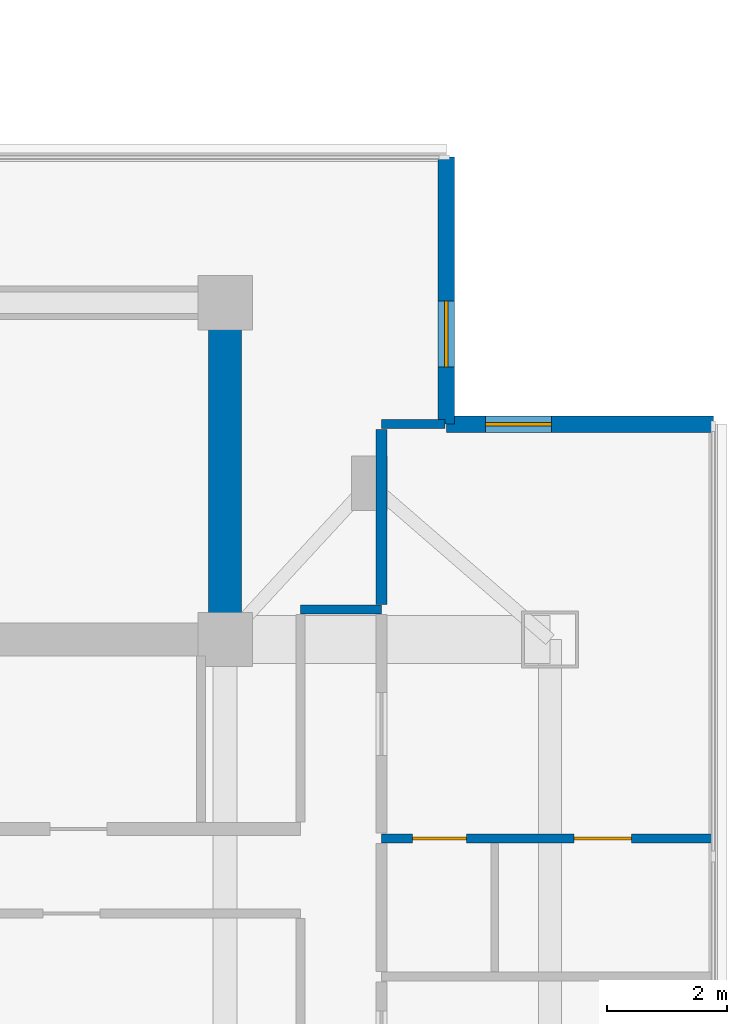
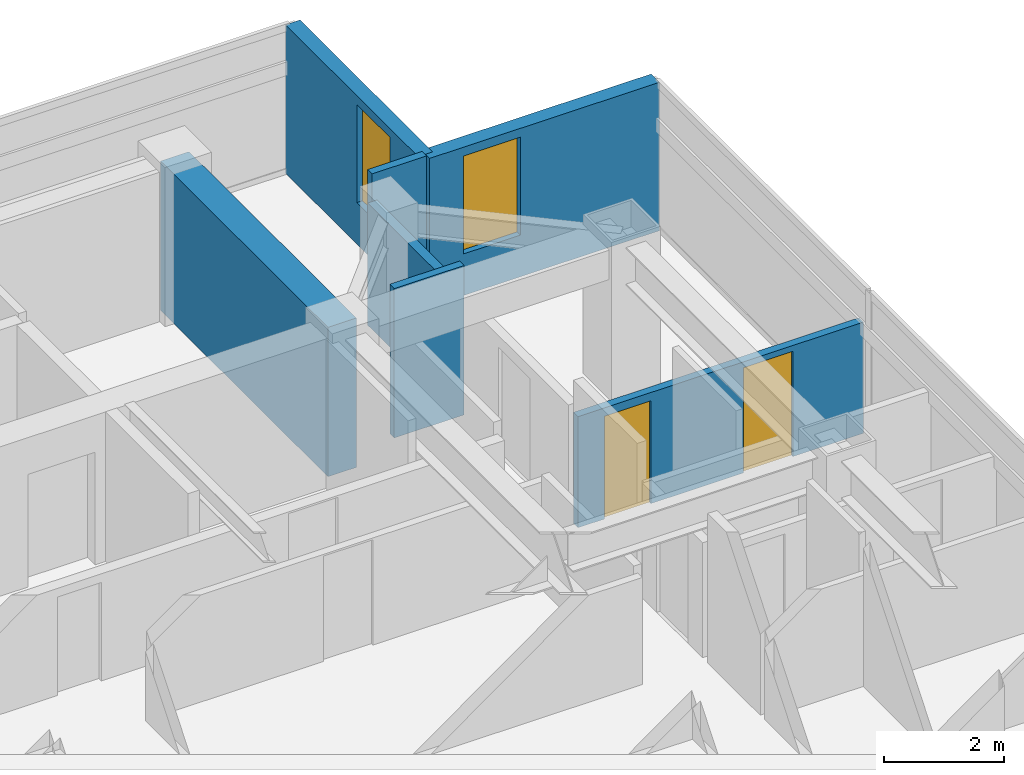
# One storey, part 18 of 24: 7 walls, 2 doors, 2 windows, 4 openings.
"""IFC4 building model written with IfcOpenShell, lengths in metres."""

import ifcopenshell
import ifcopenshell.guid

model = None  # the IFC model being written
_history = None  # IfcOwnerHistory: only IFC2X3 demands one
_inside = {}  # id of a spatial element -> (the spatial element, [elements in it])
_under = {}  # id of a project, library or spatial element -> (it, [spatial elements below it])
_declared = {}  # id of a project -> (the project, [libraries it declares])
_typed = {}  # id of a type object -> (the type object, [elements of that type])
_made_of = {}  # id of a material, layer set ... -> (it, [elements and type objects made of it])


def new_model(schema):
    """Start an empty IFC model of exactly this schema.

    Asked for "IFC4X3", IfcOpenShell would pick the latest addendum, in which some entities
    have other attributes; the version numbers below select the first issue.
    IFC2X3 requires an IfcOwnerHistory on every rooted entity: one is made here for all.
    """
    global model, _history
    if schema == "IFC4X3":
        model = ifcopenshell.file(schema_version=(4, 3, 0, 0))
    else:
        model = ifcopenshell.file(schema=schema)
    _inside.clear()
    _under.clear()
    _declared.clear()
    _typed.clear()
    _made_of.clear()
    _history = None
    if model.schema == "IFC2X3":
        org = make("IfcOrganization", Name="unknown")
        user = make(
            "IfcPersonAndOrganization",
            ThePerson=make("IfcPerson", FamilyName="unknown"),
            TheOrganization=org,
        )
        app = make(
            "IfcApplication",
            ApplicationDeveloper=org,
            Version="unknown",
            ApplicationFullName="unknown",
            ApplicationIdentifier="unknown",
        )
        _history = make(
            "IfcOwnerHistory",
            OwningUser=user,
            OwningApplication=app,
            ChangeAction="ADDED",
            CreationDate=0,
        )
    return model


def make(cls, **values):
    """One entity of the class cls with the attributes given. An attribute that is None is left unset."""
    return model.create_entity(
        cls, **{name: value for name, value in values.items() if value is not None}
    )


def rooted(cls, **values):
    """An entity with a GlobalId (a new one), such as an element, a storey or a relation."""
    return make(cls, GlobalId=ifcopenshell.guid.new(), OwnerHistory=_history, **values)


def si_unit(unit_type, name, prefix=None):
    """IfcSIUnit, for example si_unit("LENGTHUNIT", "METRE", prefix="MILLI")."""
    return make("IfcSIUnit", UnitType=unit_type, Prefix=prefix, Name=name)


def assignment(units):
    """IfcUnitAssignment: the units of a project."""
    return None if units is None else make("IfcUnitAssignment", Units=units)


def point(xyz):
    """IfcCartesianPoint."""
    return None if xyz is None else make("IfcCartesianPoint", Coordinates=xyz)


def direction(xyz):
    """IfcDirection."""
    return None if xyz is None else make("IfcDirection", DirectionRatios=xyz)


def frame(location, z_axis=None, x_axis=None):
    """IfcAxis2Placement3D, a coordinate frame: its origin and axes. An axis left out is left unset."""
    return make(
        "IfcAxis2Placement3D",
        Location=point(location),
        Axis=direction(z_axis),
        RefDirection=direction(x_axis),
    )


def frame_2d(location, x_axis=None):
    """IfcAxis2Placement2D, a coordinate frame in the plane: its origin and x axis."""
    return make(
        "IfcAxis2Placement2D", Location=point(location), RefDirection=direction(x_axis)
    )


def origin():
    """The frame at (0, 0, 0) with its axes left unset."""
    return frame((0.0, 0.0, 0.0))


def place(relative_to, where):
    """IfcLocalPlacement: puts the frame where relative to a parent placement (None: the world)."""
    return make(
        "IfcLocalPlacement", PlacementRelTo=relative_to, RelativePlacement=where
    )


def context(
    kind, dimensions, precision=None, world=None, true_north=None, identifier=None
):
    """IfcGeometricRepresentationContext, for example the 3D "Model" context."""
    return make(
        "IfcGeometricRepresentationContext",
        ContextIdentifier=identifier,
        ContextType=kind,
        CoordinateSpaceDimension=dimensions,
        Precision=precision,
        WorldCoordinateSystem=world,
        TrueNorth=true_north,
    )


def subcontext(parent, identifier, kind, view, scale=None):
    """IfcGeometricRepresentationSubContext, for example "Body" below "Model"."""
    return make(
        "IfcGeometricRepresentationSubContext",
        ContextIdentifier=identifier,
        ContextType=kind,
        ParentContext=parent,
        TargetScale=scale,
        TargetView=view,
    )


def project(units=None, contexts=None):
    """IfcProject with its units and contexts."""
    return rooted(
        "IfcProject",
        Name="project",
        RepresentationContexts=contexts,
        UnitsInContext=assignment(units),
    )


def spatial(cls, under=None, at=None, **own):
    """A site, building, storey or space (cls), placed at a placement, below another one or the project."""
    s = rooted(cls, ObjectPlacement=at, **own)
    if under is not None:
        _under.setdefault(under.id(), (under, []))[1].append(s)
    return s


def profile(cls, at=None, kind="AREA", **sizes):
    """A parametric profile (cls). Its sizes go by their IFC names, for example OverallWidth=200.0."""
    return make(cls, ProfileType=kind, Position=at, **sizes)


def rectangle(**sizes):
    """IfcRectangleProfileDef."""
    return profile("IfcRectangleProfileDef", **sizes)


def extrude(swept, where, along, depth):
    """IfcExtrudedAreaSolid: the profile swept, set in the frame where, extruded along a direction by depth."""
    return make(
        "IfcExtrudedAreaSolid",
        SweptArea=swept,
        Position=where,
        ExtrudedDirection=direction(along),
        Depth=depth,
    )


def shape(context_of_items, identifier, shape_type, items):
    """IfcShapeRepresentation: the items that make up one representation, for example the "Body"."""
    return make(
        "IfcShapeRepresentation",
        ContextOfItems=context_of_items,
        RepresentationIdentifier=identifier,
        RepresentationType=shape_type,
        Items=items,
    )


def material(Name=None, Category=None):
    """IfcMaterial."""
    return make("IfcMaterial", Name=Name, Category=Category)


def layer(
    of_material, thickness, ventilated=None, Name=None, Category=None, Priority=None
):
    """IfcMaterialLayer: one layer of a wall or slab, of a material (None: an air gap)."""
    return make(
        "IfcMaterialLayer",
        Material=of_material,
        LayerThickness=thickness,
        IsVentilated=ventilated,
        Name=Name,
        Category=Category,
        Priority=Priority,
    )


def layer_set(layers, Name=None):
    """IfcMaterialLayerSet."""
    return make("IfcMaterialLayerSet", MaterialLayers=layers, LayerSetName=Name)


def made_of(thing, what):
    """Note that an element or type object is made of a material, layer set ...; save() writes the relation."""
    if what is not None:
        _made_of.setdefault(what.id(), (what, []))[1].append(thing)
    return thing


def type_object(cls, material=None, **own):
    """A type object (cls), such as IfcWallType, which elements share."""
    return made_of(rooted(cls, **own), material)


def element(
    cls,
    number,
    at=None,
    inside=None,
    cuts=None,
    type_object=None,
    material=None,
    context=None,
    identifier="Body",
    shape_type=None,
    held_by="IfcProductDefinitionShape",
    body=None,
    shapes=None,
    **own,
):
    """One element of the class cls, such as IfcWall. Its Tag is "e" and its number.

    at: its placement. inside: the storey or other place that contains it. cuts: it is an
    opening in that element (IfcRelVoidsElement). A single representation is given by context,
    identifier, shape_type and body (its items); several are given by shapes. held_by: the class
    of the entity that holds the representations. save() writes the other relations.
    """
    e = rooted(cls, Tag="e%d" % number, ObjectPlacement=at, **own)
    if body is not None:
        shapes = [shape(context, identifier, shape_type, body)]
    if shapes is not None:
        e.Representation = make(held_by, Representations=shapes)
    if inside is not None:
        _inside.setdefault(inside.id(), (inside, []))[1].append(e)
    if cuts is not None:
        rooted(
            "IfcRelVoidsElement", RelatingBuildingElement=cuts, RelatedOpeningElement=e
        )
    if type_object is not None:
        _typed.setdefault(type_object.id(), (type_object, []))[1].append(e)
    return made_of(e, material)


def fill(opening, filler):
    """IfcRelFillsElement: the door or window that sits in an opening."""
    return rooted(
        "IfcRelFillsElement",
        RelatingOpeningElement=opening,
        RelatedBuildingElement=filler,
    )


def aggregate(whole, parts):
    """IfcRelAggregates: a whole, such as a stair, and the parts it consists of."""
    return rooted("IfcRelAggregates", RelatingObject=whole, RelatedObjects=parts)


def save(model, path):
    """Write the relations noted so far, then the file.

    IfcRelAggregates (storeys below a building ...), IfcRelContainedInSpatialStructure (elements
    in a storey), IfcRelDefinesByType, IfcRelAssociatesMaterial and IfcRelDeclares: one each for
    every whole, place, type object, material and project.
    """
    for whole, parts in _under.values():
        aggregate(whole, parts)
    for where, things in _inside.values():
        rooted(
            "IfcRelContainedInSpatialStructure",
            RelatedElements=things,
            RelatingStructure=where,
        )
    for kind, things in _typed.values():
        rooted("IfcRelDefinesByType", RelatedObjects=things, RelatingType=kind)
    for what, things in _made_of.values():
        rooted("IfcRelAssociatesMaterial", RelatedObjects=things, RelatingMaterial=what)
    for by, libraries in _declared.values():
        rooted("IfcRelDeclares", RelatingContext=by, RelatedDefinitions=libraries)
    model.write(path)


model = new_model("IFC4")

# Units and contexts
model_context = context("Model", 3, precision=1e-05, world=origin(), true_north=direction((0.0, 1.0)))
body_context = subcontext(model_context, "Body", "Model", "MODEL_VIEW")
ifc_project = project(units=[si_unit("LENGTHUNIT", "METRE"), si_unit("AREAUNIT", "SQUARE_METRE"), si_unit("VOLUMEUNIT", "CUBIC_METRE"), si_unit("PLANEANGLEUNIT", "RADIAN"), si_unit("MASSUNIT", "GRAM", prefix="KILO")], contexts=[model_context])

# Site, building, storey
site_placement = place(None, origin())
site = spatial("IfcSite", under=ifc_project, at=site_placement, CompositionType="ELEMENT")
building_placement = place(site_placement, origin())
building = spatial("IfcBuilding", under=site, at=building_placement, Name="Mirazonda Arch Towers", CompositionType="ELEMENT")
storey_placement = place(building_placement, frame((0.0, 0.0, 186.89990234375)))
storey = spatial("IfcBuildingStorey", under=building, at=storey_placement, Name="L53", CompositionType="ELEMENT", Elevation=186.89990234375)

# Wall
ifc_material_1 = material(Name="Concrete C50/60", Category="concrete")
ifc_layer_1 = layer(ifc_material_1, 0.550048828125, Name="WALL-CORE-550")
ifc_layer_set_1 = layer_set([ifc_layer_1], Name="Concrete C50/60")
wall_type_1 = type_object("IfcWallType", Name="WALL-CORE-550", PredefinedType="SHEAR", material=ifc_layer_set_1)
wall_1_placement = place(storey_placement, frame((85.0, 35.199951171875, 0.0), z_axis=(0.0, 0.0, 1.0), x_axis=(0.0, 1.0, 0.0)))
element("IfcWall", 1, at=wall_1_placement, inside=storey, type_object=wall_type_1, Name="L53 T2N-E Core Shear Wall", PredefinedType="SHEAR", context=body_context, shape_type="SweptSolid", body=[
    extrude(rectangle(XDim=5.60009765625, YDim=0.550048828125, at=frame_2d((2.800048828125, 0.0))), origin(), (0.0, 0.0, 1.0), 3.050048828125),
])

# Wall, opening, window
ifc_material_2 = material(Name="Precast Concrete C40/50", Category="concrete")
ifc_layer_2 = layer(ifc_material_2, 0.280029296875, Name="WALL-EXT-WALL-280")
ifc_layer_set_2 = layer_set([ifc_layer_2], Name="Precast Concrete C40/50")
wall_type_2 = type_object("IfcWallType", Name="WALL-EXT-WALL-280", PredefinedType="SOLIDWALL", material=ifc_layer_set_2)
wall_2_placement = place(storey_placement, frame((88.67578125, 38.781982421875, 0.0), z_axis=(0.0, 0.0, 1.0), x_axis=(0.0, 1.0, 0.0)))
wall_2 = element("IfcWall", 2, at=wall_2_placement, inside=storey, type_object=wall_type_2, Name="L53 T2 Notched NE Corner Wall WL-L53-T2-CNE", PredefinedType="SOLIDWALL", context=body_context, shape_type="SweptSolid", body=[
    extrude(rectangle(XDim=4.439697265625, YDim=0.280029296875, at=frame_2d((2.2197265625, 0.0))), origin(), (0.0, 0.0, 1.0), 3.030029296875),
])
opening_1_placement = place(wall_2_placement, frame((0.949951171875, 0.0, 0.85009765625)))
opening_1 = element("IfcOpeningElement", 3, at=opening_1_placement, cuts=wall_2, Name="Opening WN-108", PredefinedType="OPENING", context=body_context, shape_type="SweptSolid", body=[
    extrude(rectangle(XDim=1.10009765625, YDim=2.0, at=frame_2d((0.550048828125, 1.0))), frame((0.0, 0.14990234375, 0.0), z_axis=(0.0, -1.0, 0.0), x_axis=(1.0, 0.0, 0.0)), (0.0, 0.0, 1.0), 0.300048828125),
])
ifc_material_3 = material(Name="Insulated Low-E Solar Glass", Category="glass")
window_type = type_object("IfcWindowType", Name="WIN-NOTCH-1100x2000", PartitioningType="SINGLE_PANEL", PredefinedType="WINDOW", material=ifc_material_3)
window_1_placement = place(opening_1_placement, origin())
window_1 = element("IfcWindow", 4, at=window_1_placement, inside=storey, type_object=window_type, Name="L53 Punched Facade Window WN-L53-T2-CNE", OverallHeight=2.0, OverallWidth=1.10009765625, PartitioningType="SINGLE_PANEL", PredefinedType="WINDOW", context=body_context, shape_type="SweptSolid", body=[
    extrude(rectangle(XDim=1.10009765625, YDim=2.0, at=frame_2d((0.550048828125, 1.0))), frame((0.0, 0.030029296875, 0.0), z_axis=(0.0, -1.0, 0.0), x_axis=(1.0, 0.0, 0.0)), (0.0, 0.0, 1.0), 0.06005859375),
])
fill(opening_1, window_1)

wall_3_placement = place(storey_placement, frame((93.115478515625, 38.781982421875, 0.0), z_axis=(0.0, 0.0, 1.0), x_axis=(-1.0, 0.0, 0.0)))
wall_3 = element("IfcWall", 5, at=wall_3_placement, inside=storey, type_object=wall_type_2, Name="L53 T2 Corner Notch Return Wall WL-L53-T2-CNE2", PredefinedType="SOLIDWALL", context=body_context, shape_type="SweptSolid", body=[
    extrude(rectangle(XDim=4.439697265625, YDim=0.280029296875, at=frame_2d((2.2197265625, 0.0))), origin(), (0.0, 0.0, 1.0), 3.030029296875),
])
opening_2_placement = place(wall_3_placement, frame((2.68994140625, 0.0, 0.85009765625)))
opening_2 = element("IfcOpeningElement", 6, at=opening_2_placement, cuts=wall_3, Name="Opening WN-108", PredefinedType="OPENING", context=body_context, shape_type="SweptSolid", body=[
    extrude(rectangle(XDim=1.10009765625, YDim=2.0, at=frame_2d((0.550048828125, 1.0))), frame((0.0, 0.14990234375, 0.0), z_axis=(0.0, -1.0, 0.0), x_axis=(1.0, 0.0, 0.0)), (0.0, 0.0, 1.0), 0.300048828125),
])
window_2_placement = place(opening_2_placement, origin())
window_2 = element("IfcWindow", 7, at=window_2_placement, inside=storey, type_object=window_type, Name="L53 Punched Facade Window WN-L53-T2-CNE2", OverallHeight=2.0, OverallWidth=1.10009765625, PartitioningType="SINGLE_PANEL", PredefinedType="WINDOW", context=body_context, shape_type="SweptSolid", body=[
    extrude(rectangle(XDim=1.10009765625, YDim=2.0, at=frame_2d((0.550048828125, 1.0))), frame((0.0, 0.030029296875, 0.0), z_axis=(0.0, -1.0, 0.0), x_axis=(1.0, 0.0, 0.0)), (0.0, 0.0, 1.0), 0.06005859375),
])
fill(opening_2, window_2)

# Wall, openings, doors
ifc_material_4 = material(Name="Fire-Rated Gypsum Stud Partition")
ifc_layer_3 = layer(ifc_material_4, 0.14990234375, Name="WALL-PART-CORR-150")
ifc_layer_set_3 = layer_set([ifc_layer_3], Name="Fire-Rated Gypsum Stud Partition")
wall_type_3 = type_object("IfcWallType", Name="WALL-PART-CORR-150", PredefinedType="PARTITIONING", material=ifc_layer_set_3)
wall_4_placement = place(storey_placement, frame((87.60009765625, 31.89599609375, 0.0), z_axis=(0.0, 0.0, 1.0), x_axis=(1.0, 0.0, 0.0)))
wall_4 = element("IfcWall", 8, at=wall_4_placement, inside=storey, type_object=wall_type_3, Name="L53 Interior Partition 042", PredefinedType="PARTITIONING", context=body_context, shape_type="SweptSolid", body=[
    extrude(rectangle(XDim=5.514892578125, YDim=0.14990234375, at=frame_2d((2.75732421875, 0.0))), origin(), (0.0, 0.0, 1.0), 2.26904296875),
])
opening_3_placement = place(wall_4_placement, frame((3.202392578125, 0.0, 0.0)))
opening_3 = element("IfcOpeningElement", 9, at=opening_3_placement, cuts=wall_4, Name="Opening DR-104", PredefinedType="OPENING", context=body_context, shape_type="SweptSolid", body=[
    extrude(rectangle(XDim=0.949951171875, YDim=2.14990234375, at=frame_2d((0.47509765625, 1.074951171875))), frame((0.0, 0.0849609375, 0.0), z_axis=(0.0, -1.0, 0.0), x_axis=(1.0, 0.0, 0.0)), (0.0, 0.0, 1.0), 0.169921875),
])
opening_4_placement = place(wall_4_placement, frame((0.510009765625, 0.0, 0.0)))
opening_4 = element("IfcOpeningElement", 10, at=opening_4_placement, cuts=wall_4, Name="Opening DR-120", PredefinedType="OPENING", context=body_context, shape_type="SweptSolid", body=[
    extrude(rectangle(XDim=0.89990234375, YDim=2.10009765625, at=frame_2d((0.449951171875, 1.050048828125))), frame((0.0, 0.0849609375, 0.0), z_axis=(0.0, -1.0, 0.0), x_axis=(1.0, 0.0, 0.0)), (0.0, 0.0, 1.0), 0.169921875),
])
ifc_material_5 = material(Name="Architectural Brushed Steel S355", Category="steel")
door_type_1 = type_object("IfcDoorType", Name="DOOR-ROOM-950", OperationType="NOTDEFINED", PredefinedType="DOOR", material=ifc_material_5)
door_1_placement = place(opening_3_placement, origin())
door_1 = element("IfcDoor", 11, at=door_1_placement, inside=storey, type_object=door_type_1, Name="L53 Studio 3 Galley Kitchen Door", OperationType="SINGLE_SWING_RIGHT", OverallHeight=2.14990234375, OverallWidth=0.949951171875, PredefinedType="DOOR", context=body_context, shape_type="SweptSolid", body=[
    extrude(rectangle(XDim=0.949951171875, YDim=2.14990234375, at=frame_2d((0.47509765625, 1.074951171875))), frame((0.0, 0.02490234375, 0.0), z_axis=(0.0, -1.0, 0.0), x_axis=(1.0, 0.0, 0.0)), (0.0, 0.0, 1.0), 0.050048828125),
])
fill(opening_3, door_1)
door_type_2 = type_object("IfcDoorType", Name="DOOR-WC-900", OperationType="NOTDEFINED", PredefinedType="DOOR", material=ifc_material_5)
door_2_placement = place(opening_4_placement, origin())
door_2 = element("IfcDoor", 12, at=door_2_placement, inside=storey, type_object=door_type_2, Name="L53 Studio 3 Bathroom Door", OperationType="SINGLE_SWING_LEFT", OverallHeight=2.10009765625, OverallWidth=0.89990234375, PredefinedType="DOOR", context=body_context, shape_type="SweptSolid", body=[
    extrude(rectangle(XDim=0.89990234375, YDim=2.10009765625, at=frame_2d((0.449951171875, 1.050048828125))), frame((0.0, 0.02490234375, 0.0), z_axis=(0.0, -1.0, 0.0), x_axis=(1.0, 0.0, 0.0)), (0.0, 0.0, 1.0), 0.050048828125),
])
fill(opening_4, door_2)

# Walls
wall_5_placement = place(storey_placement, frame((86.25, 35.699951171875, 0.0), z_axis=(0.0, 0.0, 1.0), x_axis=(1.0, 0.0, 0.0)))
element("IfcWall", 13, at=wall_5_placement, inside=storey, type_object=wall_type_3, Name="L53 Interior Partition 051", PredefinedType="PARTITIONING", context=body_context, shape_type="SweptSolid", body=[
    extrude(rectangle(XDim=1.35009765625, YDim=0.14990234375, at=frame_2d((0.675048828125, 0.0))), origin(), (0.0, 0.0, 1.0), 3.050048828125),
])
wall_6_placement = place(storey_placement, frame((87.60009765625, 38.781982421875, 0.0), z_axis=(0.0, 0.0, 1.0), x_axis=(1.0, 0.0, 0.0)))
element("IfcWall", 14, at=wall_6_placement, inside=storey, type_object=wall_type_3, Name="L53 Interior Partition 055", PredefinedType="PARTITIONING", context=body_context, shape_type="SweptSolid", body=[
    extrude(rectangle(XDim=1.0556640625, YDim=0.14990234375, at=frame_2d((0.52783203125, 0.0))), origin(), (0.0, 0.0, 1.0), 3.050048828125),
])
ifc_material_6 = material(Name="Fire-Rated Gypsum Twin-Stud Assembly")
ifc_layer_4 = layer(ifc_material_6, 0.179931640625, Name="WALL-PART-DEMISE-180")
ifc_layer_set_4 = layer_set([ifc_layer_4], Name="Fire-Rated Gypsum Twin-Stud Assembly")
wall_type_4 = type_object("IfcWallType", Name="WALL-PART-DEMISE-180", PredefinedType="PARTITIONING", material=ifc_layer_set_4)
wall_7_placement = place(storey_placement, frame((87.60009765625, 35.784912109375, 0.0), z_axis=(0.0, 0.0, 1.0), x_axis=(0.0, 1.0, 0.0)))
element("IfcWall", 15, at=wall_7_placement, inside=storey, type_object=wall_type_4, Name="L53 Interior Partition 159", PredefinedType="PARTITIONING", context=body_context, shape_type="SweptSolid", body=[
    extrude(rectangle(XDim=2.912109375, YDim=0.179931640625, at=frame_2d((1.4560546875, 0.0))), origin(), (0.0, 0.0, 1.0), 2.4931640625),
])

save(model, "model.ifc")
